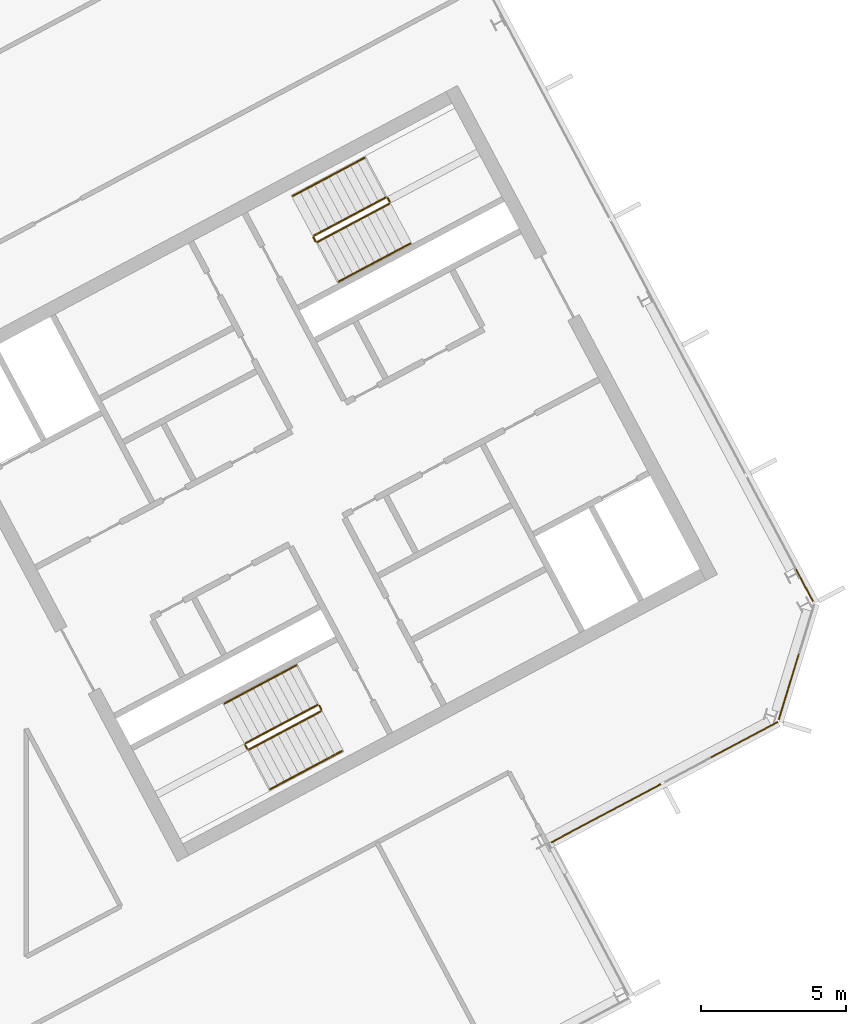
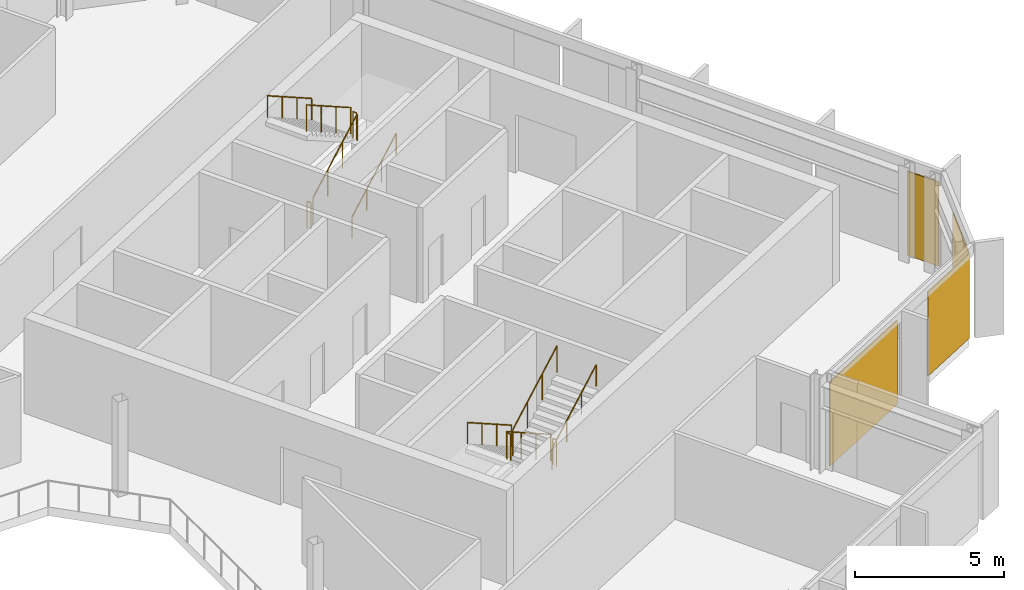
# One storey, part 24 of 25: 12 railings, 4 coverings, 3 elements without a shape of their own.
"""IFC4 building model written with IfcOpenShell, lengths in metres."""

from ifc_helpers import new_model, si_unit, direction, frame, origin, origin_2d, place, context, subcontext, project, spatial, polyline, rectangle, outline, extrude, material, layer, layer_set, type_object, element, aggregate, save


model = new_model("IFC4")

# Units and contexts
model_context = context("Model", 3, precision=1e-05, world=origin(), true_north=direction((0.0, 1.0)))
body_context = subcontext(model_context, "Body", "Model", "MODEL_VIEW")
ifc_project = project(units=[si_unit("LENGTHUNIT", "METRE"), si_unit("AREAUNIT", "SQUARE_METRE"), si_unit("VOLUMEUNIT", "CUBIC_METRE"), si_unit("PLANEANGLEUNIT", "RADIAN"), si_unit("MASSUNIT", "GRAM", prefix="KILO")], contexts=[model_context])

# Site, building, storey
site_placement = place(None, origin())
site = spatial("IfcSite", under=ifc_project, at=site_placement, CompositionType="ELEMENT")
building_placement = place(site_placement, origin())
building = spatial("IfcBuilding", under=site, at=building_placement, Name="Cormorant Relay Tower", CompositionType="ELEMENT")
storey_placement = place(building_placement, frame((0.0, 0.0, 273.60009765625)))
storey = spatial("IfcBuildingStorey", under=building, at=storey_placement, Name="L61", CompositionType="ELEMENT", Elevation=273.60009765625)

# Curtain wall, coverings
ifc_material_1 = material(Name="Aluminium 6063-T6 anodised bronze", Category="aluminium")
ifc_layer_1 = layer(ifc_material_1, 0.199951171875)
ifc_layer_set_1 = layer_set([ifc_layer_1], Name="CW1 unitised bronze curtain wall with vertical fins")
curtain_wall_type = type_object("IfcCurtainWallType", Name="CW1 unitised bronze curtain wall with vertical fins", PredefinedType="NOTDEFINED", material=ifc_layer_set_1)
curtain_wall_1_placement = place(storey_placement, origin())
curtain_wall_1 = element("IfcCurtainWall", 1, at=curtain_wall_1_placement, inside=storey, type_object=curtain_wall_type, Name="CW1 curtain wall 4", PredefinedType="NOTDEFINED")
ifc_material_2 = material(Name="Pale bronze anodised aluminium insulated panel", Category="aluminium")
ifc_layer_2 = layer(ifc_material_2, 0.0400390625)
ifc_layer_set_2 = layer_set([ifc_layer_2], Name="CW1 pale bronze insulated panel 40")
covering_type = type_object("IfcCoveringType", Name="CW1 pale bronze insulated panel 40", PredefinedType="CLADDING", material=ifc_layer_set_2)
covering_1_placement = place(storey_placement, frame((33.793701171875, 0.957275390625, 0.0), z_axis=(0.0, 0.0, 1.0), x_axis=(0.882947592859, 0.469471562786, 0.0)))
covering_1 = element("IfcCovering", 2, at=covering_1_placement, type_object=covering_type, Name="CW1 panel S00", PredefinedType="CLADDING", context=body_context, shape_type="SweptSolid", body=[
    extrude(rectangle(XDim=4.27490234375, YDim=0.0400390625, at=origin_2d()), origin(), (0.0, 0.0, 1.0), 3.449951171875),
])
covering_2_placement = place(storey_placement, frame((38.561767578125, 3.492431640625, 0.0), z_axis=(0.0, 0.0, 1.0), x_axis=(0.882947592859, 0.469471562786, 0.0)))
covering_2 = element("IfcCovering", 3, at=covering_2_placement, type_object=covering_type, Name="CW1 panel S02", PredefinedType="CLADDING", context=body_context, shape_type="SweptSolid", body=[
    extrude(rectangle(XDim=2.625, YDim=0.0400390625, at=origin_2d()), origin(), (0.0, 0.0, 1.0), 3.449951171875),
])
aggregate(curtain_wall_1, [covering_1, covering_2])

# Curtain wall, covering
curtain_wall_2_placement = place(storey_placement, origin())
curtain_wall_2 = element("IfcCurtainWall", 4, at=curtain_wall_2_placement, inside=storey, type_object=curtain_wall_type, Name="CW1 curtain wall 5", PredefinedType="NOTDEFINED")
covering_3_placement = place(storey_placement, frame((40.098388671875, 5.32421875, 0.0), z_axis=(0.0, 0.0, 1.0), x_axis=(0.292371704723, 0.956304755963, 0.0)))
covering_3 = element("IfcCovering", 5, at=covering_3_placement, type_object=covering_type, Name="CW1 panel S00", PredefinedType="CLADDING", context=body_context, shape_type="SweptSolid", body=[
    extrude(rectangle(XDim=2.36767578125, YDim=0.0400390625, at=origin_2d()), origin(), (0.0, 0.0, 1.0), 3.449951171875),
])
aggregate(curtain_wall_2, [covering_3])

curtain_wall_3_placement = place(storey_placement, origin())
curtain_wall_3 = element("IfcCurtainWall", 6, at=curtain_wall_3_placement, inside=storey, type_object=curtain_wall_type, Name="CW1 curtain wall 6", PredefinedType="NOTDEFINED")
covering_4_placement = place(storey_placement, frame((40.640625, 8.810791015625, 0.0), z_axis=(0.0, 0.0, 1.0), x_axis=(-0.469471562786, 0.882947592859, 0.0)))
covering_4 = element("IfcCovering", 7, at=covering_4_placement, type_object=covering_type, Name="CW1 panel S00", PredefinedType="CLADDING", context=body_context, shape_type="SweptSolid", body=[
    extrude(rectangle(XDim=1.25, YDim=0.0400390625, at=origin_2d()), origin(), (0.0, 0.0, 1.0), 3.449951171875),
])
aggregate(curtain_wall_3, [covering_4])

# Railings
ifc_material_3 = material(Name="Steel ASTM A572 Grade 50 (Fy 345 MPa)", Category="steel")
railing_type_1 = type_object("IfcRailingType", Name="Stair guard 1100", PredefinedType="GUARDRAIL", material=ifc_material_3)
railing_1_placement = place(storey_placement, frame((23.83837890625, 4.6904296875, 0.17724609375)))
element("IfcRailing", 8, at=railing_1_placement, inside=storey, type_object=railing_type_1, Name="L61 B1 stair guard 1", PredefinedType="GUARDRAIL", context=body_context, shape_type="SweptSolid", body=[
    extrude(outline(polyline([(0.022216796875, 0.00927734375), (0.00927734375, 0.022216796875), (-0.00927734375, 0.022216796875), (-0.022216796875, 0.00927734375), (-0.022216796875, -0.00927734375), (-0.00927734375, -0.022216796875), (0.00927734375, -0.022216796875), (0.022216796875, -0.00927734375), (0.022216796875, 0.00927734375)])), frame((0.0, 0.0, 1.076171875), z_axis=(-0.746033882577, -0.396627473466, 0.534901947407), x_axis=(0.469429322983, -0.882970050864, 0.0)), (0.0, 0.0, 1.0), 3.31396484375),
    extrude(outline(polyline([(0.019287109375, 0.008056640625), (0.008056640625, 0.019287109375), (-0.008056640625, 0.019287109375), (-0.019287109375, 0.008056640625), (-0.019287109375, -0.008056640625), (-0.008056640625, -0.019287109375), (0.008056640625, -0.019287109375), (0.019287109375, -0.008056640625), (0.019287109375, 0.008056640625)])), origin(), (0.0, 0.0, 1.0), 1.052001953125),
    extrude(outline(polyline([(0.019287109375, 0.008056640625), (0.008056640625, 0.019287109375), (-0.008056640625, 0.019287109375), (-0.019287109375, 0.008056640625), (-0.019287109375, -0.008056640625), (-0.008056640625, -0.019287109375), (0.008056640625, -0.019287109375), (0.019287109375, -0.008056640625), (0.019287109375, 0.008056640625)])), frame((-0.82421875, -0.438232421875, 0.5908203125)), (0.0, 0.0, 1.0), 1.052001953125),
    extrude(outline(polyline([(0.019287109375, 0.008056640625), (0.008056640625, 0.019287109375), (-0.008056640625, 0.019287109375), (-0.019287109375, 0.008056640625), (-0.019287109375, -0.008056640625), (-0.008056640625, -0.019287109375), (0.008056640625, -0.019287109375), (0.019287109375, -0.008056640625), (0.019287109375, 0.008056640625)])), frame((-1.648193359375, -0.876220703125, 1.181884765625)), (0.0, 0.0, 1.0), 1.052001953125),
    extrude(outline(polyline([(0.019287109375, 0.008056640625), (0.008056640625, 0.019287109375), (-0.008056640625, 0.019287109375), (-0.019287109375, 0.008056640625), (-0.019287109375, -0.008056640625), (-0.008056640625, -0.019287109375), (0.008056640625, -0.019287109375), (0.019287109375, -0.008056640625), (0.019287109375, 0.008056640625)])), frame((-2.472412109375, -1.314453125, 1.772705078125)), (0.0, 0.0, 1.0), 1.052001953125),
])
railing_2_placement = place(storey_placement, frame((21.345458984375, 3.308349609375, 1.949951171875)))
element("IfcRailing", 9, at=railing_2_placement, inside=storey, type_object=railing_type_1, Name="L61 B1 stair guard 2", PredefinedType="GUARDRAIL", context=body_context, shape_type="SweptSolid", body=[
    extrude(outline(polyline([(0.022216796875, 0.00927734375), (0.00927734375, 0.022216796875), (-0.00927734375, 0.022216796875), (-0.022216796875, 0.00927734375), (-0.022216796875, -0.00927734375), (-0.00927734375, -0.022216796875), (0.00927734375, -0.022216796875), (0.022216796875, -0.00927734375), (0.022216796875, 0.00927734375)])), frame((0.0, 0.0, 1.076171875), z_axis=(0.46856034887, -0.8834314911, 0.0), x_axis=(0.8834314911, 0.46856034887, 0.0)), (0.0, 0.0, 1.0), 0.150146484375),
    extrude(outline(polyline([(0.019287109375, 0.008056640625), (0.008056640625, 0.019287109375), (-0.008056640625, 0.019287109375), (-0.019287109375, 0.008056640625), (-0.019287109375, -0.008056640625), (-0.008056640625, -0.019287109375), (0.008056640625, -0.019287109375), (0.019287109375, -0.008056640625), (0.019287109375, 0.008056640625)])), origin(), (0.0, 0.0, 1.0), 1.052001953125),
    extrude(outline(polyline([(0.019287109375, 0.008056640625), (0.008056640625, 0.019287109375), (-0.008056640625, 0.019287109375), (-0.019287109375, 0.008056640625), (-0.019287109375, -0.008056640625), (-0.008056640625, -0.019287109375), (0.008056640625, -0.019287109375), (0.019287109375, -0.008056640625), (0.019287109375, 0.008056640625)])), frame((0.0703125, -0.132568359375, 0.0)), (0.0, 0.0, 1.0), 1.052001953125),
])
railing_3_placement = place(storey_placement, frame((21.4833984375, 3.1552734375, 2.127197265625)))
element("IfcRailing", 10, at=railing_3_placement, inside=storey, type_object=railing_type_1, Name="L61 B1 stair guard 3", PredefinedType="GUARDRAIL", context=body_context, shape_type="SweptSolid", body=[
    extrude(outline(polyline([(0.022216796875, 0.00927734375), (0.00927734375, 0.022216796875), (-0.00927734375, 0.022216796875), (-0.022216796875, 0.00927734375), (-0.022216796875, -0.00927734375), (-0.00927734375, -0.022216796875), (0.00927734375, -0.022216796875), (0.022216796875, -0.00927734375), (0.022216796875, 0.00927734375)])), frame((0.0, 0.0, 1.076171875), z_axis=(0.746001213114, 0.396649272309, 0.534931345884), x_axis=(-0.469465464807, 0.882950835185, 0.0)), (0.0, 0.0, 1.0), 3.31396484375),
    extrude(outline(polyline([(0.019287109375, 0.008056640625), (0.008056640625, 0.019287109375), (-0.008056640625, 0.019287109375), (-0.019287109375, 0.008056640625), (-0.019287109375, -0.008056640625), (-0.008056640625, -0.019287109375), (0.008056640625, -0.019287109375), (0.019287109375, -0.008056640625), (0.019287109375, 0.008056640625)])), origin(), (0.0, 0.0, 1.0), 1.052001953125),
    extrude(outline(polyline([(0.019287109375, 0.008056640625), (0.008056640625, 0.019287109375), (-0.008056640625, 0.019287109375), (-0.019287109375, 0.008056640625), (-0.019287109375, -0.008056640625), (-0.008056640625, -0.019287109375), (0.008056640625, -0.019287109375), (0.019287109375, -0.008056640625), (0.019287109375, 0.008056640625)])), frame((0.823974609375, 0.438232421875, 0.5908203125)), (0.0, 0.0, 1.0), 1.052001953125),
    extrude(outline(polyline([(0.019287109375, 0.008056640625), (0.008056640625, 0.019287109375), (-0.008056640625, 0.019287109375), (-0.019287109375, 0.008056640625), (-0.019287109375, -0.008056640625), (-0.008056640625, -0.019287109375), (0.008056640625, -0.019287109375), (0.019287109375, -0.008056640625), (0.019287109375, 0.008056640625)])), frame((1.648193359375, 0.876220703125, 1.181884765625)), (0.0, 0.0, 1.0), 1.052001953125),
    extrude(outline(polyline([(0.019287109375, 0.008056640625), (0.008056640625, 0.019287109375), (-0.008056640625, 0.019287109375), (-0.019287109375, 0.008056640625), (-0.019287109375, -0.008056640625), (-0.008056640625, -0.019287109375), (0.008056640625, -0.019287109375), (0.019287109375, -0.008056640625), (0.019287109375, 0.008056640625)])), frame((2.47216796875, 1.314453125, 1.772705078125)), (0.0, 0.0, 1.0), 1.052001953125),
])
railing_4_placement = place(storey_placement, frame((23.906005859375, 4.669677734375, 0.0)))
element("IfcRailing", 11, at=railing_4_placement, inside=storey, type_object=railing_type_1, Name="L61 B1 stair guard 4", PredefinedType="GUARDRAIL", context=body_context, shape_type="SweptSolid", body=[
    extrude(outline(polyline([(0.022216796875, 0.00927734375), (0.00927734375, 0.022216796875), (-0.00927734375, 0.022216796875), (-0.022216796875, 0.00927734375), (-0.022216796875, -0.00927734375), (-0.00927734375, -0.022216796875), (0.00927734375, -0.022216796875), (0.022216796875, -0.00927734375), (0.022216796875, 0.00927734375)])), frame((0.0, 0.0, 1.076171875), z_axis=(0.469234640946, -0.883073525669, 0.0), x_axis=(0.883073525669, 0.469234640946, 0.0)), (0.0, 0.0, 1.0), 0.14990234375),
    extrude(outline(polyline([(0.019287109375, 0.008056640625), (0.008056640625, 0.019287109375), (-0.008056640625, 0.019287109375), (-0.019287109375, 0.008056640625), (-0.019287109375, -0.008056640625), (-0.008056640625, -0.019287109375), (0.008056640625, -0.019287109375), (0.019287109375, -0.008056640625), (0.019287109375, 0.008056640625)])), origin(), (0.0, 0.0, 1.0), 1.052001953125),
    extrude(outline(polyline([(0.019287109375, 0.008056640625), (0.008056640625, 0.019287109375), (-0.008056640625, 0.019287109375), (-0.019287109375, 0.008056640625), (-0.019287109375, -0.008056640625), (-0.008056640625, -0.019287109375), (0.008056640625, -0.019287109375), (0.019287109375, -0.008056640625), (0.019287109375, 0.008056640625)])), frame((0.0703125, -0.13232421875, 0.0)), (0.0, 0.0, 1.0), 1.052001953125),
])
railing_5_placement = place(storey_placement, frame((23.8408203125, 20.6611328125, 0.17724609375)))
element("IfcRailing", 12, at=railing_5_placement, inside=storey, type_object=railing_type_1, Name="L61 B2 stair guard 1", PredefinedType="GUARDRAIL", context=body_context, shape_type="SweptSolid", body=[
    extrude(outline(polyline([(0.022216796875, 0.00927734375), (0.00927734375, 0.022216796875), (-0.00927734375, 0.022216796875), (-0.022216796875, 0.00927734375), (-0.022216796875, -0.00927734375), (-0.00927734375, -0.022216796875), (0.00927734375, -0.022216796875), (0.022216796875, -0.00927734375), (0.022216796875, 0.00927734375)])), frame((0.0, 0.0, 1.076171875), z_axis=(0.746033882577, 0.396627473466, 0.534901947407), x_axis=(-0.469429322983, 0.882970050864, 0.0)), (0.0, 0.0, 1.0), 3.31396484375),
    extrude(outline(polyline([(0.019287109375, 0.008056640625), (0.008056640625, 0.019287109375), (-0.008056640625, 0.019287109375), (-0.019287109375, 0.008056640625), (-0.019287109375, -0.008056640625), (-0.008056640625, -0.019287109375), (0.008056640625, -0.019287109375), (0.019287109375, -0.008056640625), (0.019287109375, 0.008056640625)])), origin(), (0.0, 0.0, 1.0), 1.052001953125),
    extrude(outline(polyline([(0.019287109375, 0.008056640625), (0.008056640625, 0.019287109375), (-0.008056640625, 0.019287109375), (-0.019287109375, 0.008056640625), (-0.019287109375, -0.008056640625), (-0.008056640625, -0.019287109375), (0.008056640625, -0.019287109375), (0.019287109375, -0.008056640625), (0.019287109375, 0.008056640625)])), frame((0.82421875, 0.438232421875, 0.5908203125)), (0.0, 0.0, 1.0), 1.052001953125),
    extrude(outline(polyline([(0.019287109375, 0.008056640625), (0.008056640625, 0.019287109375), (-0.008056640625, 0.019287109375), (-0.019287109375, 0.008056640625), (-0.019287109375, -0.008056640625), (-0.008056640625, -0.019287109375), (0.008056640625, -0.019287109375), (0.019287109375, -0.008056640625), (0.019287109375, 0.008056640625)])), frame((1.648193359375, 0.876220703125, 1.181884765625)), (0.0, 0.0, 1.0), 1.052001953125),
    extrude(outline(polyline([(0.019287109375, 0.008056640625), (0.008056640625, 0.019287109375), (-0.008056640625, 0.019287109375), (-0.019287109375, 0.008056640625), (-0.019287109375, -0.008056640625), (-0.008056640625, -0.019287109375), (0.008056640625, -0.019287109375), (0.019287109375, -0.008056640625), (0.019287109375, 0.008056640625)])), frame((2.472412109375, 1.314453125, 1.772705078125)), (0.0, 0.0, 1.0), 1.052001953125),
])
railing_6_placement = place(storey_placement, frame((26.333740234375, 22.043212890625, 1.949951171875)))
element("IfcRailing", 13, at=railing_6_placement, inside=storey, type_object=railing_type_1, Name="L61 B2 stair guard 2", PredefinedType="GUARDRAIL", context=body_context, shape_type="SweptSolid", body=[
    extrude(outline(polyline([(0.022216796875, 0.00927734375), (0.00927734375, 0.022216796875), (-0.00927734375, 0.022216796875), (-0.022216796875, 0.00927734375), (-0.022216796875, -0.00927734375), (-0.00927734375, -0.022216796875), (0.00927734375, -0.022216796875), (0.022216796875, -0.00927734375), (0.022216796875, 0.00927734375)])), frame((0.0, 0.0, 1.076171875), z_axis=(-0.469234640946, 0.883073525669, 0.0), x_axis=(-0.883073525669, -0.469234640946, 0.0)), (0.0, 0.0, 1.0), 0.14990234375),
    extrude(outline(polyline([(0.019287109375, 0.008056640625), (0.008056640625, 0.019287109375), (-0.008056640625, 0.019287109375), (-0.019287109375, 0.008056640625), (-0.019287109375, -0.008056640625), (-0.008056640625, -0.019287109375), (0.008056640625, -0.019287109375), (0.019287109375, -0.008056640625), (0.019287109375, 0.008056640625)])), origin(), (0.0, 0.0, 1.0), 1.052001953125),
    extrude(outline(polyline([(0.019287109375, 0.008056640625), (0.008056640625, 0.019287109375), (-0.008056640625, 0.019287109375), (-0.019287109375, 0.008056640625), (-0.019287109375, -0.008056640625), (-0.008056640625, -0.019287109375), (0.008056640625, -0.019287109375), (0.019287109375, -0.008056640625), (0.019287109375, 0.008056640625)])), frame((-0.0703125, 0.13232421875, 0.0)), (0.0, 0.0, 1.0), 1.052001953125),
])
railing_7_placement = place(storey_placement, frame((26.19580078125, 22.1962890625, 2.127197265625)))
element("IfcRailing", 14, at=railing_7_placement, inside=storey, type_object=railing_type_1, Name="L61 B2 stair guard 3", PredefinedType="GUARDRAIL", context=body_context, shape_type="SweptSolid", body=[
    extrude(outline(polyline([(0.022216796875, 0.00927734375), (0.00927734375, 0.022216796875), (-0.00927734375, 0.022216796875), (-0.022216796875, 0.00927734375), (-0.022216796875, -0.00927734375), (-0.00927734375, -0.022216796875), (0.00927734375, -0.022216796875), (0.022216796875, -0.00927734375), (0.022216796875, 0.00927734375)])), frame((0.0, 0.0, 1.076171875), z_axis=(-0.746033882577, -0.396627473466, 0.534901947407), x_axis=(0.469429322983, -0.882970050864, 0.0)), (0.0, 0.0, 1.0), 3.31396484375),
    extrude(outline(polyline([(0.019287109375, 0.008056640625), (0.008056640625, 0.019287109375), (-0.008056640625, 0.019287109375), (-0.019287109375, 0.008056640625), (-0.019287109375, -0.008056640625), (-0.008056640625, -0.019287109375), (0.008056640625, -0.019287109375), (0.019287109375, -0.008056640625), (0.019287109375, 0.008056640625)])), origin(), (0.0, 0.0, 1.0), 1.052001953125),
    extrude(outline(polyline([(0.019287109375, 0.008056640625), (0.008056640625, 0.019287109375), (-0.008056640625, 0.019287109375), (-0.019287109375, 0.008056640625), (-0.019287109375, -0.008056640625), (-0.008056640625, -0.019287109375), (0.008056640625, -0.019287109375), (0.019287109375, -0.008056640625), (0.019287109375, 0.008056640625)])), frame((-0.82421875, -0.438232421875, 0.5908203125)), (0.0, 0.0, 1.0), 1.052001953125),
    extrude(outline(polyline([(0.019287109375, 0.008056640625), (0.008056640625, 0.019287109375), (-0.008056640625, 0.019287109375), (-0.019287109375, 0.008056640625), (-0.019287109375, -0.008056640625), (-0.008056640625, -0.019287109375), (0.008056640625, -0.019287109375), (0.019287109375, -0.008056640625), (0.019287109375, 0.008056640625)])), frame((-1.648193359375, -0.876220703125, 1.181884765625)), (0.0, 0.0, 1.0), 1.052001953125),
    extrude(outline(polyline([(0.019287109375, 0.008056640625), (0.008056640625, 0.019287109375), (-0.008056640625, 0.019287109375), (-0.019287109375, 0.008056640625), (-0.019287109375, -0.008056640625), (-0.008056640625, -0.019287109375), (0.008056640625, -0.019287109375), (0.019287109375, -0.008056640625), (0.019287109375, 0.008056640625)])), frame((-2.472412109375, -1.314453125, 1.772705078125)), (0.0, 0.0, 1.0), 1.052001953125),
])
railing_8_placement = place(storey_placement, frame((23.773193359375, 20.681640625, 0.0)))
element("IfcRailing", 15, at=railing_8_placement, inside=storey, type_object=railing_type_1, Name="L61 B2 stair guard 4", PredefinedType="GUARDRAIL", context=body_context, shape_type="SweptSolid", body=[
    extrude(outline(polyline([(0.022216796875, 0.00927734375), (0.00927734375, 0.022216796875), (-0.00927734375, 0.022216796875), (-0.022216796875, 0.00927734375), (-0.022216796875, -0.00927734375), (-0.00927734375, -0.022216796875), (0.00927734375, -0.022216796875), (0.022216796875, -0.00927734375), (0.022216796875, 0.00927734375)])), frame((0.0, 0.0, 1.076171875), z_axis=(-0.46856034887, 0.8834314911, 0.0), x_axis=(-0.8834314911, -0.46856034887, 0.0)), (0.0, 0.0, 1.0), 0.150146484375),
    extrude(outline(polyline([(0.019287109375, 0.008056640625), (0.008056640625, 0.019287109375), (-0.008056640625, 0.019287109375), (-0.019287109375, 0.008056640625), (-0.019287109375, -0.008056640625), (-0.008056640625, -0.019287109375), (0.008056640625, -0.019287109375), (0.019287109375, -0.008056640625), (0.019287109375, 0.008056640625)])), origin(), (0.0, 0.0, 1.0), 1.052001953125),
    extrude(outline(polyline([(0.019287109375, 0.008056640625), (0.008056640625, 0.019287109375), (-0.008056640625, 0.019287109375), (-0.019287109375, 0.008056640625), (-0.019287109375, -0.008056640625), (-0.008056640625, -0.019287109375), (0.008056640625, -0.019287109375), (0.019287109375, -0.008056640625), (0.019287109375, 0.008056640625)])), frame((-0.0703125, 0.132568359375, 0.0)), (0.0, 0.0, 1.0), 1.052001953125),
])
ifc_material_4 = material(Name="Steel ASTM A572 Grade 50 (Fy 345 MPa)", Category="steel")
railing_type_2 = type_object("IfcRailingType", Name="Stair handrail 900", PredefinedType="HANDRAIL", material=ifc_material_4)
railing_9_placement = place(storey_placement, frame((23.110595703125, 6.05908203125, 0.17724609375)))
element("IfcRailing", 16, at=railing_9_placement, inside=storey, type_object=railing_type_2, Name="L61 B1 stair handrail 1", PredefinedType="HANDRAIL", context=body_context, shape_type="SweptSolid", body=[
    extrude(outline(polyline([(0.022216796875, 0.00927734375), (0.00927734375, 0.022216796875), (-0.00927734375, 0.022216796875), (-0.022216796875, 0.00927734375), (-0.022216796875, -0.00927734375), (-0.00927734375, -0.022216796875), (0.00927734375, -0.022216796875), (0.022216796875, -0.00927734375), (0.022216796875, 0.00927734375)])), frame((0.0, 0.0, 0.8759765625), z_axis=(-0.745979412481, -0.396711350603, 0.534915713414), x_axis=(0.469533439143, -0.882914689835, 0.0)), (0.0, 0.0, 1.0), 3.31396484375),
    extrude(outline(polyline([(0.019287109375, 0.008056640625), (0.008056640625, 0.019287109375), (-0.008056640625, 0.019287109375), (-0.019287109375, 0.008056640625), (-0.019287109375, -0.008056640625), (-0.008056640625, -0.019287109375), (0.008056640625, -0.019287109375), (0.019287109375, -0.008056640625), (0.019287109375, 0.008056640625)])), origin(), (0.0, 0.0, 1.0), 0.851806640625),
    extrude(outline(polyline([(0.019287109375, 0.008056640625), (0.008056640625, 0.019287109375), (-0.008056640625, 0.019287109375), (-0.019287109375, 0.008056640625), (-0.019287109375, -0.008056640625), (-0.008056640625, -0.019287109375), (0.008056640625, -0.019287109375), (0.019287109375, -0.008056640625), (0.019287109375, 0.008056640625)])), frame((-0.823974609375, -0.438232421875, 0.5908203125)), (0.0, 0.0, 1.0), 0.851806640625),
    extrude(outline(polyline([(0.019287109375, 0.008056640625), (0.008056640625, 0.019287109375), (-0.008056640625, 0.019287109375), (-0.019287109375, 0.008056640625), (-0.019287109375, -0.008056640625), (-0.008056640625, -0.019287109375), (0.008056640625, -0.019287109375), (0.019287109375, -0.008056640625), (0.019287109375, 0.008056640625)])), frame((-1.648193359375, -0.87646484375, 1.181884765625)), (0.0, 0.0, 1.0), 0.851806640625),
    extrude(outline(polyline([(0.019287109375, 0.008056640625), (0.008056640625, 0.019287109375), (-0.008056640625, 0.019287109375), (-0.019287109375, 0.008056640625), (-0.019287109375, -0.008056640625), (-0.008056640625, -0.019287109375), (0.008056640625, -0.019287109375), (0.019287109375, -0.008056640625), (0.019287109375, 0.008056640625)])), frame((-2.47216796875, -1.314697265625, 1.772705078125)), (0.0, 0.0, 1.0), 0.851806640625),
])
railing_10_placement = place(storey_placement, frame((22.211181640625, 1.78662109375, 2.127197265625)))
element("IfcRailing", 17, at=railing_10_placement, inside=storey, type_object=railing_type_2, Name="L61 B1 stair handrail 2", PredefinedType="HANDRAIL", context=body_context, shape_type="SweptSolid", body=[
    extrude(outline(polyline([(0.022216796875, 0.00927734375), (0.00927734375, 0.022216796875), (-0.00927734375, 0.022216796875), (-0.022216796875, 0.00927734375), (-0.022216796875, -0.00927734375), (-0.00927734375, -0.022216796875), (0.00927734375, -0.022216796875), (0.022216796875, -0.00927734375), (0.022216796875, 0.00927734375)])), frame((0.0, 0.0, 0.8759765625), z_axis=(0.746001213114, 0.396649272309, 0.534931345884), x_axis=(-0.469465464807, 0.882950835185, 0.0)), (0.0, 0.0, 1.0), 3.31396484375),
    extrude(outline(polyline([(0.019287109375, 0.008056640625), (0.008056640625, 0.019287109375), (-0.008056640625, 0.019287109375), (-0.019287109375, 0.008056640625), (-0.019287109375, -0.008056640625), (-0.008056640625, -0.019287109375), (0.008056640625, -0.019287109375), (0.019287109375, -0.008056640625), (0.019287109375, 0.008056640625)])), origin(), (0.0, 0.0, 1.0), 0.851806640625),
    extrude(outline(polyline([(0.019287109375, 0.008056640625), (0.008056640625, 0.019287109375), (-0.008056640625, 0.019287109375), (-0.019287109375, 0.008056640625), (-0.019287109375, -0.008056640625), (-0.008056640625, -0.019287109375), (0.008056640625, -0.019287109375), (0.019287109375, -0.008056640625), (0.019287109375, 0.008056640625)])), frame((0.823974609375, 0.438232421875, 0.5908203125)), (0.0, 0.0, 1.0), 0.851806640625),
    extrude(outline(polyline([(0.019287109375, 0.008056640625), (0.008056640625, 0.019287109375), (-0.008056640625, 0.019287109375), (-0.019287109375, 0.008056640625), (-0.019287109375, -0.008056640625), (-0.008056640625, -0.019287109375), (0.008056640625, -0.019287109375), (0.019287109375, -0.008056640625), (0.019287109375, 0.008056640625)])), frame((1.648193359375, 0.876220703125, 1.181884765625)), (0.0, 0.0, 1.0), 0.851806640625),
    extrude(outline(polyline([(0.019287109375, 0.008056640625), (0.008056640625, 0.019287109375), (-0.008056640625, 0.019287109375), (-0.019287109375, 0.008056640625), (-0.019287109375, -0.008056640625), (-0.008056640625, -0.019287109375), (0.008056640625, -0.019287109375), (0.019287109375, -0.008056640625), (0.019287109375, 0.008056640625)])), frame((2.47216796875, 1.314453125, 1.772705078125)), (0.0, 0.0, 1.0), 0.851806640625),
])
railing_11_placement = place(storey_placement, frame((24.568603515625, 19.29248046875, 0.17724609375)))
element("IfcRailing", 18, at=railing_11_placement, inside=storey, type_object=railing_type_2, Name="L61 B2 stair handrail 1", PredefinedType="HANDRAIL", context=body_context, shape_type="SweptSolid", body=[
    extrude(outline(polyline([(0.022216796875, 0.00927734375), (0.00927734375, 0.022216796875), (-0.00927734375, 0.022216796875), (-0.022216796875, 0.00927734375), (-0.022216796875, -0.00927734375), (-0.00927734375, -0.022216796875), (0.00927734375, -0.022216796875), (0.022216796875, -0.00927734375), (0.022216796875, 0.00927734375)])), frame((0.0, 0.0, 0.8759765625), z_axis=(0.746001213114, 0.396649272309, 0.534931345884), x_axis=(-0.469465464807, 0.882950835185, 0.0)), (0.0, 0.0, 1.0), 3.31396484375),
    extrude(outline(polyline([(0.019287109375, 0.008056640625), (0.008056640625, 0.019287109375), (-0.008056640625, 0.019287109375), (-0.019287109375, 0.008056640625), (-0.019287109375, -0.008056640625), (-0.008056640625, -0.019287109375), (0.008056640625, -0.019287109375), (0.019287109375, -0.008056640625), (0.019287109375, 0.008056640625)])), origin(), (0.0, 0.0, 1.0), 0.851806640625),
    extrude(outline(polyline([(0.019287109375, 0.008056640625), (0.008056640625, 0.019287109375), (-0.008056640625, 0.019287109375), (-0.019287109375, 0.008056640625), (-0.019287109375, -0.008056640625), (-0.008056640625, -0.019287109375), (0.008056640625, -0.019287109375), (0.019287109375, -0.008056640625), (0.019287109375, 0.008056640625)])), frame((0.823974609375, 0.438232421875, 0.5908203125)), (0.0, 0.0, 1.0), 0.851806640625),
    extrude(outline(polyline([(0.019287109375, 0.008056640625), (0.008056640625, 0.019287109375), (-0.008056640625, 0.019287109375), (-0.019287109375, 0.008056640625), (-0.019287109375, -0.008056640625), (-0.008056640625, -0.019287109375), (0.008056640625, -0.019287109375), (0.019287109375, -0.008056640625), (0.019287109375, 0.008056640625)])), frame((1.648193359375, 0.876220703125, 1.181884765625)), (0.0, 0.0, 1.0), 0.851806640625),
    extrude(outline(polyline([(0.019287109375, 0.008056640625), (0.008056640625, 0.019287109375), (-0.008056640625, 0.019287109375), (-0.019287109375, 0.008056640625), (-0.019287109375, -0.008056640625), (-0.008056640625, -0.019287109375), (0.008056640625, -0.019287109375), (0.019287109375, -0.008056640625), (0.019287109375, 0.008056640625)])), frame((2.47216796875, 1.314453125, 1.772705078125)), (0.0, 0.0, 1.0), 0.851806640625),
])
railing_12_placement = place(storey_placement, frame((25.468017578125, 23.56494140625, 2.127197265625)))
element("IfcRailing", 19, at=railing_12_placement, inside=storey, type_object=railing_type_2, Name="L61 B2 stair handrail 2", PredefinedType="HANDRAIL", context=body_context, shape_type="SweptSolid", body=[
    extrude(outline(polyline([(0.022216796875, 0.00927734375), (0.00927734375, 0.022216796875), (-0.00927734375, 0.022216796875), (-0.022216796875, 0.00927734375), (-0.022216796875, -0.00927734375), (-0.00927734375, -0.022216796875), (0.00927734375, -0.022216796875), (0.022216796875, -0.00927734375), (0.022216796875, 0.00927734375)])), frame((0.0, 0.0, 0.8759765625), z_axis=(-0.745979412481, -0.396711350603, 0.534915713414), x_axis=(0.469533439143, -0.882914689835, 0.0)), (0.0, 0.0, 1.0), 3.31396484375),
    extrude(outline(polyline([(0.019287109375, 0.008056640625), (0.008056640625, 0.019287109375), (-0.008056640625, 0.019287109375), (-0.019287109375, 0.008056640625), (-0.019287109375, -0.008056640625), (-0.008056640625, -0.019287109375), (0.008056640625, -0.019287109375), (0.019287109375, -0.008056640625), (0.019287109375, 0.008056640625)])), origin(), (0.0, 0.0, 1.0), 0.851806640625),
    extrude(outline(polyline([(0.019287109375, 0.008056640625), (0.008056640625, 0.019287109375), (-0.008056640625, 0.019287109375), (-0.019287109375, 0.008056640625), (-0.019287109375, -0.008056640625), (-0.008056640625, -0.019287109375), (0.008056640625, -0.019287109375), (0.019287109375, -0.008056640625), (0.019287109375, 0.008056640625)])), frame((-0.823974609375, -0.438232421875, 0.5908203125)), (0.0, 0.0, 1.0), 0.851806640625),
    extrude(outline(polyline([(0.019287109375, 0.008056640625), (0.008056640625, 0.019287109375), (-0.008056640625, 0.019287109375), (-0.019287109375, 0.008056640625), (-0.019287109375, -0.008056640625), (-0.008056640625, -0.019287109375), (0.008056640625, -0.019287109375), (0.019287109375, -0.008056640625), (0.019287109375, 0.008056640625)])), frame((-1.648193359375, -0.87646484375, 1.181884765625)), (0.0, 0.0, 1.0), 0.851806640625),
    extrude(outline(polyline([(0.019287109375, 0.008056640625), (0.008056640625, 0.019287109375), (-0.008056640625, 0.019287109375), (-0.019287109375, 0.008056640625), (-0.019287109375, -0.008056640625), (-0.008056640625, -0.019287109375), (0.008056640625, -0.019287109375), (0.019287109375, -0.008056640625), (0.019287109375, 0.008056640625)])), frame((-2.47216796875, -1.314697265625, 1.772705078125)), (0.0, 0.0, 1.0), 0.851806640625),
])

save(model, "model.ifc")
